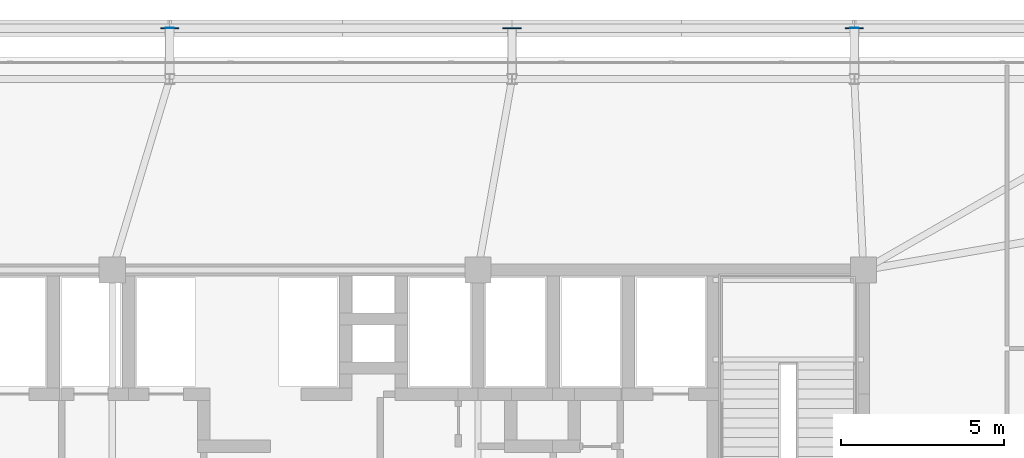
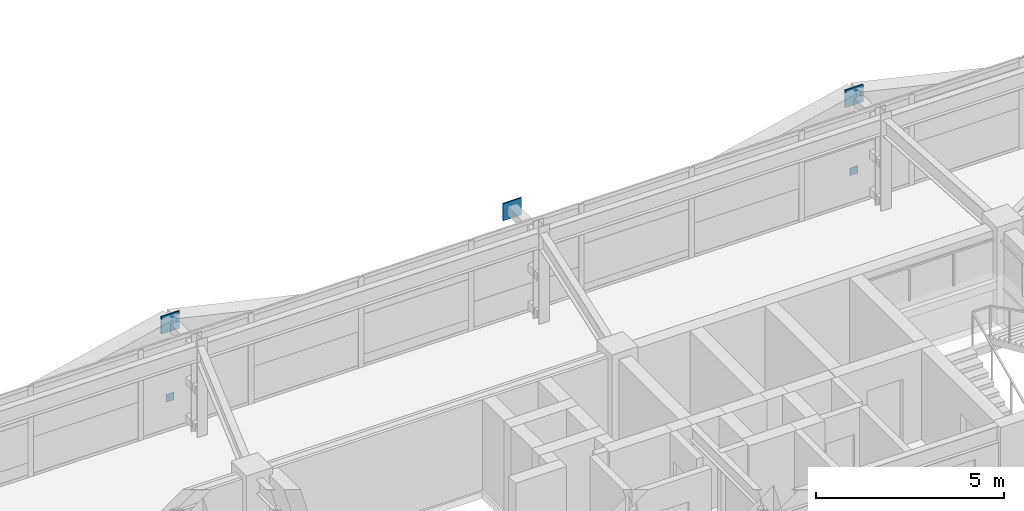
# One storey, part 50 of 59: 5 plates.
"""IFC4 building model written with IfcOpenShell, lengths in metres."""

from ifc_helpers import new_model, si_unit, direction, frame, origin, origin_2d, place, context, subcontext, project, spatial, rectangle, extrude, source, transform, mapped, material, layer, layer_set, type_object, element, save


model = new_model("IFC4")

# Units and contexts
model_context = context("Model", 3, precision=1e-05, world=origin(), true_north=direction((0.0, 1.0)))
body_context = subcontext(model_context, "Body", "Model", "MODEL_VIEW")
ifc_project = project(units=[si_unit("LENGTHUNIT", "METRE"), si_unit("AREAUNIT", "SQUARE_METRE"), si_unit("VOLUMEUNIT", "CUBIC_METRE"), si_unit("PLANEANGLEUNIT", "RADIAN"), si_unit("MASSUNIT", "GRAM", prefix="KILO")], contexts=[model_context])

# Site, building, storey
site_placement = place(None, origin())
site = spatial("IfcSite", under=ifc_project, at=site_placement, CompositionType="ELEMENT")
building_placement = place(site_placement, origin())
building = spatial("IfcBuilding", under=site, at=building_placement, Name="Taldren Reach Tower", CompositionType="ELEMENT")
storey_placement = place(building_placement, frame((0.0, 0.0, 45.14990234375)))
storey = spatial("IfcBuildingStorey", under=building, at=storey_placement, Name="L13", CompositionType="ELEMENT", Elevation=45.14990234375)

# Plates
ifc_material_1 = material(Name="Steel Gr 450 (C450L0)", Category="steel")
ifc_layer_1 = layer(ifc_material_1, 0.0400390625)
ifc_layer_set_1 = layer_set([ifc_layer_1], Name="Steel Gr 450 (C450L0)")
plate_type_1 = type_object("IfcPlateType", Name="PL-GUSSET-40", PredefinedType="SHEET", material=ifc_layer_set_1)
shared_shape_1 = source(origin(), body_context, "Body", "SweptSolid", [
    extrude(rectangle(XDim=0.56005859375, YDim=0.0400390625, at=origin_2d()), origin(), (0.0, 0.0, 1.0), 0.56005859375),
])
for number, where, z_axis, x_axis, name in (
    (1, (29.760009765625, 39.39990234375, 2.3701171875), (0.0, 0.0, 1.0), (1.0, 0.0, 0.0), "Exoskeleton star-node gusset plate B1-N3 L13"),
    (2, (40.239990234375, 39.39990234375, 2.3701171875), (0.0, 0.0, 1.0), (1.0, 0.0, 0.0), "Exoskeleton star-node gusset plate B1-N4 L13"),
    (3, (50.719970703125, 39.39990234375, 2.3701171875), (0.0, 0.0, 1.0), (1.0, 0.0, 0.0), "Exoskeleton star-node gusset plate B1-N5 L13"),
):
    element("IfcPlate", number, at=place(storey_placement, frame(where, z_axis=z_axis, x_axis=x_axis)), inside=storey, type_object=plate_type_1, Name=name, PredefinedType="SHEET", context=body_context, shape_type="MappedRepresentation", body=[
        mapped(shared_shape_1, transform((0.0, 0.0, 0.0), scale=1.0)),
    ])
ifc_material_2 = material(Name="Steel Gr 350 (C350L0)", Category="steel")
ifc_layer_2 = layer(ifc_material_2, 0.011962890625)
ifc_layer_set_2 = layer_set([ifc_layer_2], Name="Steel Gr 350 (C350L0)")
plate_type_2 = type_object("IfcPlateType", Name="PL-CAP-250", PredefinedType="SHEET", material=ifc_layer_set_2)
shared_shape_2 = source(origin(), body_context, "Body", "SweptSolid", [
    extrude(rectangle(XDim=0.25, YDim=0.011962890625, at=origin_2d()), origin(), (0.0, 0.0, 1.0), 0.25),
])
for number, where, z_axis, x_axis, name in (
    (4, (29.760009765625, 39.406005859375, 0.09521484375), (0.0, 0.0, 1.0), (1.0, 0.0, 0.0), "Tie strut end cap plate B1-N3 L13"),
    (5, (50.719970703125, 39.406005859375, 0.09521484375), (0.0, 0.0, 1.0), (1.0, 0.0, 0.0), "Tie strut end cap plate B1-N5 L13"),
):
    element("IfcPlate", number, at=place(storey_placement, frame(where, z_axis=z_axis, x_axis=x_axis)), inside=storey, type_object=plate_type_2, Name=name, PredefinedType="SHEET", context=body_context, shape_type="MappedRepresentation", body=[
        mapped(shared_shape_2, transform((0.0, 0.0, 0.0), scale=1.0)),
    ])

save(model, "model.ifc")
